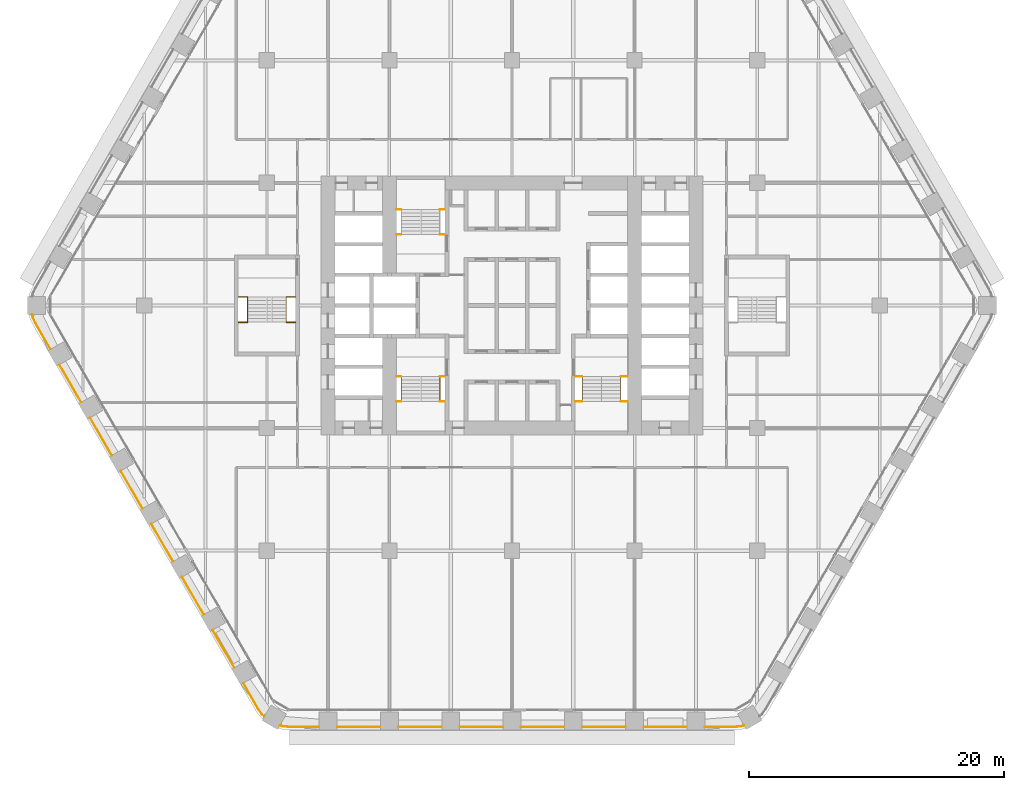
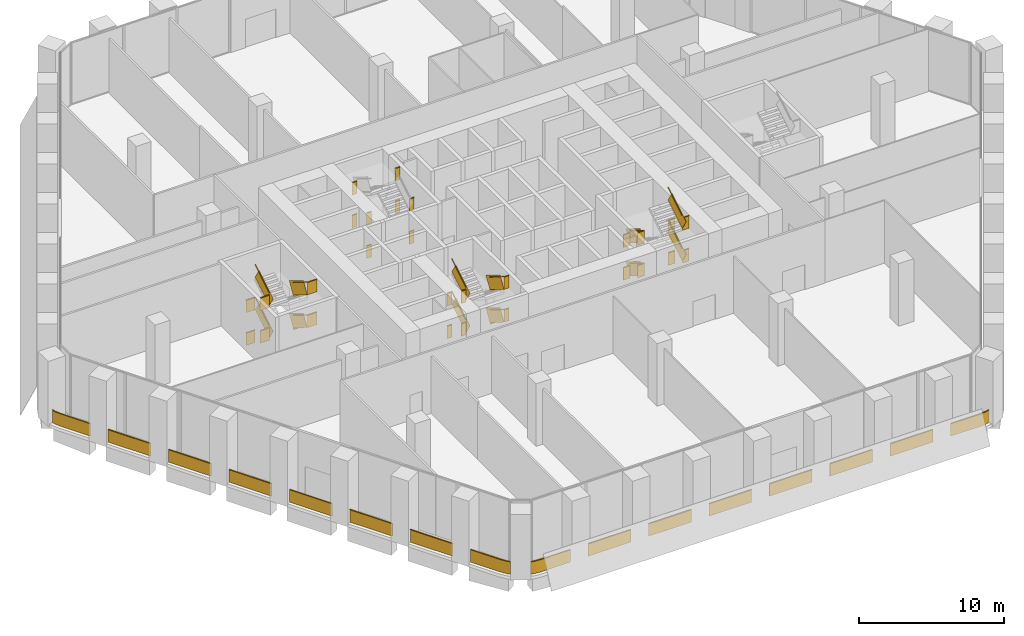
# One storey, part 26 of 27: 9 railings.
"""IFC4 building model written with IfcOpenShell, lengths in metres."""

from ifc_helpers import new_model, si_unit, direction, frame, frame_2d, origin, origin_2d, place, context, subcontext, project, spatial, rectangle, extrude, material, type_object, element, save


model = new_model("IFC4")

# Units and contexts
model_context = context("Model", 3, precision=1e-05, world=origin(), true_north=direction((0.0, 1.0)))
body_context = subcontext(model_context, "Body", "Model", "MODEL_VIEW")
ifc_project = project(units=[si_unit("LENGTHUNIT", "METRE"), si_unit("AREAUNIT", "SQUARE_METRE"), si_unit("VOLUMEUNIT", "CUBIC_METRE"), si_unit("PLANEANGLEUNIT", "RADIAN"), si_unit("MASSUNIT", "GRAM", prefix="KILO")], contexts=[model_context])

# Site, building, storey
site_placement = place(None, origin())
site = spatial("IfcSite", under=ifc_project, at=site_placement, CompositionType="ELEMENT")
building_placement = place(site_placement, origin())
building = spatial("IfcBuilding", under=site, at=building_placement, Name="Kolab Exchange Tower", CompositionType="ELEMENT")
storey_placement = place(building_placement, frame((0.0, 0.0, 22.39990234375)))
storey = spatial("IfcBuildingStorey", under=building, at=storey_placement, Name="L04", CompositionType="ELEMENT", Elevation=22.39990234375)

# Railings
ifc_material_1 = material(Name="Stainless steel 316", Category="steel")
railing_type_1 = type_object("IfcRailingType", Name="GUARD 1100", PredefinedType="GUARDRAIL", material=ifc_material_1)
railing_1_placement = place(storey_placement, frame((-9.050048828125, 5.550048828125, 0.0)))
element("IfcRailing", 1, at=railing_1_placement, inside=storey, type_object=railing_type_1, Name="Guard ST1", PredefinedType="GUARDRAIL", context=body_context, shape_type="SweptSolid", body=[
    extrude(rectangle(XDim=0.05, YDim=0.05, at=origin_2d()), frame((0.0, 0.0, 1.0751953125), z_axis=(1.0, 0.0, 0.0), x_axis=(0.0, 1.0, 0.0)), (0.0, 0.0, 1.0), 0.39013671875),
    extrude(rectangle(XDim=0.012, YDim=1.05009765625, at=frame_2d((0.0, 0.525146484375))), frame((0.0, 0.0, 0.0), z_axis=(1.0, 0.0, 0.0), x_axis=(0.0, 1.0, 0.0)), (0.0, 0.0, 1.0), 0.39013671875),
    extrude(rectangle(XDim=0.05, YDim=0.05, at=origin_2d()), frame((3.41015625, 0.0, 1.0751953125), z_axis=(1.0, 0.0, 0.0), x_axis=(0.0, 1.0, 0.0)), (0.0, 0.0, 1.0), 0.389892578125),
    extrude(rectangle(XDim=0.012, YDim=1.05009765625, at=frame_2d((0.0, 0.525146484375))), frame((3.41015625, 0.0, 0.0), z_axis=(1.0, 0.0, 0.0), x_axis=(0.0, 1.0, 0.0)), (0.0, 0.0, 1.0), 0.389892578125),
    extrude(rectangle(XDim=0.05, YDim=0.05, at=origin_2d()), frame((0.0, 1.9599609375, 2.4501953125), z_axis=(1.0, 0.0, 0.0), x_axis=(0.0, 1.0, 0.0)), (0.0, 0.0, 1.0), 0.39013671875),
    extrude(rectangle(XDim=0.012, YDim=1.05009765625, at=frame_2d((0.0, 0.525146484375))), frame((0.0, 1.9599609375, 1.375), z_axis=(1.0, 0.0, 0.0), x_axis=(0.0, 1.0, 0.0)), (0.0, 0.0, 1.0), 0.39013671875),
    extrude(rectangle(XDim=0.05, YDim=0.05, at=origin_2d()), frame((3.41015625, 1.9599609375, 2.4501953125), z_axis=(1.0, 0.0, 0.0), x_axis=(0.0, 1.0, 0.0)), (0.0, 0.0, 1.0), 0.389892578125),
    extrude(rectangle(XDim=0.012, YDim=1.05009765625, at=frame_2d((0.0, 0.525146484375))), frame((3.41015625, 1.9599609375, 1.375), z_axis=(1.0, 0.0, 0.0), x_axis=(0.0, 1.0, 0.0)), (0.0, 0.0, 1.0), 0.389892578125),
    extrude(rectangle(XDim=0.05, YDim=0.05, at=origin_2d()), frame((0.0, 0.0, 3.8251953125), z_axis=(1.0, 0.0, 0.0), x_axis=(0.0, 1.0, 0.0)), (0.0, 0.0, 1.0), 0.39013671875),
    extrude(rectangle(XDim=0.012, YDim=1.05009765625, at=frame_2d((0.0, 0.525146484375))), frame((0.0, 0.0, 2.75), z_axis=(1.0, 0.0, 0.0), x_axis=(0.0, 1.0, 0.0)), (0.0, 0.0, 1.0), 0.39013671875),
    extrude(rectangle(XDim=0.05, YDim=0.05, at=origin_2d()), frame((3.41015625, 0.0, 3.8251953125), z_axis=(1.0, 0.0, 0.0), x_axis=(0.0, 1.0, 0.0)), (0.0, 0.0, 1.0), 0.389892578125),
    extrude(rectangle(XDim=0.012, YDim=1.05009765625, at=frame_2d((0.0, 0.525146484375))), frame((3.41015625, 0.0, 2.75), z_axis=(1.0, 0.0, 0.0), x_axis=(0.0, 1.0, 0.0)), (0.0, 0.0, 1.0), 0.389892578125),
    extrude(rectangle(XDim=0.05, YDim=0.05, at=origin_2d()), frame((0.0, 1.9599609375, 5.2001953125), z_axis=(1.0, 0.0, 0.0), x_axis=(0.0, 1.0, 0.0)), (0.0, 0.0, 1.0), 0.39013671875),
    extrude(rectangle(XDim=0.012, YDim=1.05009765625, at=frame_2d((0.0, 0.525146484375))), frame((0.0, 1.9599609375, 4.125), z_axis=(1.0, 0.0, 0.0), x_axis=(0.0, 1.0, 0.0)), (0.0, 0.0, 1.0), 0.39013671875),
    extrude(rectangle(XDim=0.05, YDim=0.05, at=origin_2d()), frame((3.41015625, 1.9599609375, 5.2001953125), z_axis=(1.0, 0.0, 0.0), x_axis=(0.0, 1.0, 0.0)), (0.0, 0.0, 1.0), 0.389892578125),
    extrude(rectangle(XDim=0.012, YDim=1.05009765625, at=frame_2d((0.0, 0.525146484375))), frame((3.41015625, 1.9599609375, 4.125), z_axis=(1.0, 0.0, 0.0), x_axis=(0.0, 1.0, 0.0)), (0.0, 0.0, 1.0), 0.389892578125),
])
railing_2_placement = place(storey_placement, frame((-9.050048828125, -5.550048828125, 0.0)))
element("IfcRailing", 2, at=railing_2_placement, inside=storey, type_object=railing_type_1, Name="Guard ST3", PredefinedType="GUARDRAIL", context=body_context, shape_type="SweptSolid", body=[
    extrude(rectangle(XDim=0.05, YDim=0.05, at=origin_2d()), frame((0.0, 0.0, 1.0751953125), z_axis=(1.0, 0.0, 0.0), x_axis=(0.0, 1.0, 0.0)), (0.0, 0.0, 1.0), 0.39013671875),
    extrude(rectangle(XDim=0.012, YDim=1.05009765625, at=frame_2d((0.0, 0.525146484375))), frame((0.0, 0.0, 0.0), z_axis=(1.0, 0.0, 0.0), x_axis=(0.0, 1.0, 0.0)), (0.0, 0.0, 1.0), 0.39013671875),
    extrude(rectangle(XDim=0.05, YDim=0.05, at=origin_2d()), frame((3.41015625, 0.0, 1.0751953125), z_axis=(1.0, 0.0, 0.0), x_axis=(0.0, 1.0, 0.0)), (0.0, 0.0, 1.0), 0.389892578125),
    extrude(rectangle(XDim=0.012, YDim=1.05009765625, at=frame_2d((0.0, 0.525146484375))), frame((3.41015625, 0.0, 0.0), z_axis=(1.0, 0.0, 0.0), x_axis=(0.0, 1.0, 0.0)), (0.0, 0.0, 1.0), 0.389892578125),
    extrude(rectangle(XDim=0.05, YDim=0.05, at=origin_2d()), frame((0.0, -1.9599609375, 2.4501953125), z_axis=(1.0, 0.0, 0.0), x_axis=(0.0, 1.0, 0.0)), (0.0, 0.0, 1.0), 0.39013671875),
    extrude(rectangle(XDim=0.012, YDim=1.05009765625, at=frame_2d((0.0, 0.525146484375))), frame((0.0, -1.9599609375, 1.375), z_axis=(1.0, 0.0, 0.0), x_axis=(0.0, 1.0, 0.0)), (0.0, 0.0, 1.0), 0.39013671875),
    extrude(rectangle(XDim=0.05, YDim=0.05, at=origin_2d()), frame((3.41015625, -1.9599609375, 2.4501953125), z_axis=(1.0, 0.0, 0.0), x_axis=(0.0, 1.0, 0.0)), (0.0, 0.0, 1.0), 0.389892578125),
    extrude(rectangle(XDim=0.012, YDim=1.05009765625, at=frame_2d((0.0, 0.525146484375))), frame((3.41015625, -1.9599609375, 1.375), z_axis=(1.0, 0.0, 0.0), x_axis=(0.0, 1.0, 0.0)), (0.0, 0.0, 1.0), 0.389892578125),
    extrude(rectangle(XDim=0.05, YDim=0.05, at=origin_2d()), frame((0.0, 0.0, 3.8251953125), z_axis=(1.0, 0.0, 0.0), x_axis=(0.0, 1.0, 0.0)), (0.0, 0.0, 1.0), 0.39013671875),
    extrude(rectangle(XDim=0.012, YDim=1.05009765625, at=frame_2d((0.0, 0.525146484375))), frame((0.0, 0.0, 2.75), z_axis=(1.0, 0.0, 0.0), x_axis=(0.0, 1.0, 0.0)), (0.0, 0.0, 1.0), 0.39013671875),
    extrude(rectangle(XDim=0.05, YDim=0.05, at=origin_2d()), frame((3.41015625, 0.0, 3.8251953125), z_axis=(1.0, 0.0, 0.0), x_axis=(0.0, 1.0, 0.0)), (0.0, 0.0, 1.0), 0.389892578125),
    extrude(rectangle(XDim=0.012, YDim=1.05009765625, at=frame_2d((0.0, 0.525146484375))), frame((3.41015625, 0.0, 2.75), z_axis=(1.0, 0.0, 0.0), x_axis=(0.0, 1.0, 0.0)), (0.0, 0.0, 1.0), 0.389892578125),
    extrude(rectangle(XDim=0.05, YDim=0.05, at=origin_2d()), frame((0.0, -1.9599609375, 5.2001953125), z_axis=(1.0, 0.0, 0.0), x_axis=(0.0, 1.0, 0.0)), (0.0, 0.0, 1.0), 0.39013671875),
    extrude(rectangle(XDim=0.012, YDim=1.05009765625, at=frame_2d((0.0, 0.525146484375))), frame((0.0, -1.9599609375, 4.125), z_axis=(1.0, 0.0, 0.0), x_axis=(0.0, 1.0, 0.0)), (0.0, 0.0, 1.0), 0.39013671875),
    extrude(rectangle(XDim=0.05, YDim=0.05, at=origin_2d()), frame((3.41015625, -1.9599609375, 5.2001953125), z_axis=(1.0, 0.0, 0.0), x_axis=(0.0, 1.0, 0.0)), (0.0, 0.0, 1.0), 0.389892578125),
    extrude(rectangle(XDim=0.012, YDim=1.05009765625, at=frame_2d((0.0, 0.525146484375))), frame((3.41015625, -1.9599609375, 4.125), z_axis=(1.0, 0.0, 0.0), x_axis=(0.0, 1.0, 0.0)), (0.0, 0.0, 1.0), 0.389892578125),
])
railing_3_placement = place(storey_placement, frame((-5.639892578125, -5.550048828125, 0.172119140625)))
element("IfcRailing", 3, at=railing_3_placement, inside=storey, type_object=railing_type_1, Name="Handrail guard ST3", PredefinedType="GUARDRAIL", context=body_context, shape_type="SweptSolid", body=[
    extrude(rectangle(XDim=0.05, YDim=0.05, at=origin_2d()), frame((0.0, 0.0, 1.0751953125), z_axis=(0.0, -0.852288308005, 0.523072308613), x_axis=(1.0, 0.0, 0.0)), (0.0, 0.0, 1.0), 2.299560546875),
    extrude(rectangle(XDim=0.012, YDim=1.05009765625, at=frame_2d((0.0, 0.525146484375))), frame((0.0, 0.0, 0.0), z_axis=(0.0, -0.852288308005, 0.523072308613), x_axis=(1.0, 0.0, 0.0)), (0.0, 0.0, 1.0), 2.299560546875),
    extrude(rectangle(XDim=0.05, YDim=0.05, at=origin_2d()), frame((-3.02001953125, -1.9599609375, 2.4501953125), z_axis=(0.0, 0.852288308005, 0.523072308613), x_axis=(-1.0, 0.0, 0.0)), (0.0, 0.0, 1.0), 2.299560546875),
    extrude(rectangle(XDim=0.012, YDim=1.05009765625, at=frame_2d((0.0, 0.525146484375))), frame((-3.02001953125, -1.9599609375, 1.375), z_axis=(0.0, 0.852288308005, 0.523072308613), x_axis=(-1.0, 0.0, 0.0)), (0.0, 0.0, 1.0), 2.299560546875),
    extrude(rectangle(XDim=0.05, YDim=0.05, at=origin_2d()), frame((0.0, 0.0, 3.8251953125), z_axis=(0.0, -0.852288308005, 0.523072308613), x_axis=(1.0, 0.0, 0.0)), (0.0, 0.0, 1.0), 2.299560546875),
    extrude(rectangle(XDim=0.012, YDim=1.05009765625, at=frame_2d((0.0, 0.525146484375))), frame((0.0, 0.0, 2.75), z_axis=(0.0, -0.852288308005, 0.523072308613), x_axis=(1.0, 0.0, 0.0)), (0.0, 0.0, 1.0), 2.299560546875),
    extrude(rectangle(XDim=0.05, YDim=0.05, at=origin_2d()), frame((-3.02001953125, -1.9599609375, 5.2001953125), z_axis=(0.0, 0.852288308005, 0.523072308613), x_axis=(-1.0, 0.0, 0.0)), (0.0, 0.0, 1.0), 2.299560546875),
    extrude(rectangle(XDim=0.012, YDim=1.05009765625, at=frame_2d((0.0, 0.525146484375))), frame((-3.02001953125, -1.9599609375, 4.125), z_axis=(0.0, 0.852288308005, 0.523072308613), x_axis=(-1.0, 0.0, 0.0)), (0.0, 0.0, 1.0), 2.299560546875),
])
railing_4_placement = place(storey_placement, frame((4.949951171875, -5.550048828125, 0.0)))
element("IfcRailing", 4, at=railing_4_placement, inside=storey, type_object=railing_type_1, Name="Guard ST2", PredefinedType="GUARDRAIL", context=body_context, shape_type="SweptSolid", body=[
    extrude(rectangle(XDim=0.05, YDim=0.05, at=origin_2d()), frame((0.0, 0.0, 1.0751953125), z_axis=(1.0, 0.0, 0.0), x_axis=(0.0, 1.0, 0.0)), (0.0, 0.0, 1.0), 0.5400390625),
    extrude(rectangle(XDim=0.012, YDim=1.05009765625, at=frame_2d((0.0, 0.525146484375))), frame((0.0, 0.0, 0.0), z_axis=(1.0, 0.0, 0.0), x_axis=(0.0, 1.0, 0.0)), (0.0, 0.0, 1.0), 0.5400390625),
    extrude(rectangle(XDim=0.05, YDim=0.05, at=origin_2d()), frame((3.56005859375, 0.0, 1.0751953125), z_axis=(1.0, 0.0, 0.0), x_axis=(0.0, 1.0, 0.0)), (0.0, 0.0, 1.0), 0.5400390625),
    extrude(rectangle(XDim=0.012, YDim=1.05009765625, at=frame_2d((0.0, 0.525146484375))), frame((3.56005859375, 0.0, 0.0), z_axis=(1.0, 0.0, 0.0), x_axis=(0.0, 1.0, 0.0)), (0.0, 0.0, 1.0), 0.5400390625),
    extrude(rectangle(XDim=0.05, YDim=0.05, at=origin_2d()), frame((0.0, -1.9599609375, 2.4501953125), z_axis=(1.0, 0.0, 0.0), x_axis=(0.0, 1.0, 0.0)), (0.0, 0.0, 1.0), 0.5400390625),
    extrude(rectangle(XDim=0.012, YDim=1.05009765625, at=frame_2d((0.0, 0.525146484375))), frame((0.0, -1.9599609375, 1.375), z_axis=(1.0, 0.0, 0.0), x_axis=(0.0, 1.0, 0.0)), (0.0, 0.0, 1.0), 0.5400390625),
    extrude(rectangle(XDim=0.05, YDim=0.05, at=origin_2d()), frame((3.56005859375, -1.9599609375, 2.4501953125), z_axis=(1.0, 0.0, 0.0), x_axis=(0.0, 1.0, 0.0)), (0.0, 0.0, 1.0), 0.5400390625),
    extrude(rectangle(XDim=0.012, YDim=1.05009765625, at=frame_2d((0.0, 0.525146484375))), frame((3.56005859375, -1.9599609375, 1.375), z_axis=(1.0, 0.0, 0.0), x_axis=(0.0, 1.0, 0.0)), (0.0, 0.0, 1.0), 0.5400390625),
    extrude(rectangle(XDim=0.05, YDim=0.05, at=origin_2d()), frame((0.0, 0.0, 3.8251953125), z_axis=(1.0, 0.0, 0.0), x_axis=(0.0, 1.0, 0.0)), (0.0, 0.0, 1.0), 0.5400390625),
    extrude(rectangle(XDim=0.012, YDim=1.05009765625, at=frame_2d((0.0, 0.525146484375))), frame((0.0, 0.0, 2.75), z_axis=(1.0, 0.0, 0.0), x_axis=(0.0, 1.0, 0.0)), (0.0, 0.0, 1.0), 0.5400390625),
    extrude(rectangle(XDim=0.05, YDim=0.05, at=origin_2d()), frame((3.56005859375, 0.0, 3.8251953125), z_axis=(1.0, 0.0, 0.0), x_axis=(0.0, 1.0, 0.0)), (0.0, 0.0, 1.0), 0.5400390625),
    extrude(rectangle(XDim=0.012, YDim=1.05009765625, at=frame_2d((0.0, 0.525146484375))), frame((3.56005859375, 0.0, 2.75), z_axis=(1.0, 0.0, 0.0), x_axis=(0.0, 1.0, 0.0)), (0.0, 0.0, 1.0), 0.5400390625),
    extrude(rectangle(XDim=0.05, YDim=0.05, at=origin_2d()), frame((0.0, -1.9599609375, 5.2001953125), z_axis=(1.0, 0.0, 0.0), x_axis=(0.0, 1.0, 0.0)), (0.0, 0.0, 1.0), 0.5400390625),
    extrude(rectangle(XDim=0.012, YDim=1.05009765625, at=frame_2d((0.0, 0.525146484375))), frame((0.0, -1.9599609375, 4.125), z_axis=(1.0, 0.0, 0.0), x_axis=(0.0, 1.0, 0.0)), (0.0, 0.0, 1.0), 0.5400390625),
    extrude(rectangle(XDim=0.05, YDim=0.05, at=origin_2d()), frame((3.56005859375, -1.9599609375, 5.2001953125), z_axis=(1.0, 0.0, 0.0), x_axis=(0.0, 1.0, 0.0)), (0.0, 0.0, 1.0), 0.5400390625),
    extrude(rectangle(XDim=0.012, YDim=1.05009765625, at=frame_2d((0.0, 0.525146484375))), frame((3.56005859375, -1.9599609375, 4.125), z_axis=(1.0, 0.0, 0.0), x_axis=(0.0, 1.0, 0.0)), (0.0, 0.0, 1.0), 0.5400390625),
])
railing_5_placement = place(storey_placement, frame((5.489990234375, -5.550048828125, 0.172119140625)))
element("IfcRailing", 5, at=railing_5_placement, inside=storey, type_object=railing_type_1, Name="Handrail guard ST2", PredefinedType="GUARDRAIL", context=body_context, shape_type="SweptSolid", body=[
    extrude(rectangle(XDim=0.05, YDim=0.05, at=origin_2d()), frame((0.0, 0.0, 1.0751953125), z_axis=(0.0, -0.852288308005, 0.523072308613), x_axis=(1.0, 0.0, 0.0)), (0.0, 0.0, 1.0), 2.299560546875),
    extrude(rectangle(XDim=0.012, YDim=1.05009765625, at=frame_2d((0.0, 0.525146484375))), frame((0.0, 0.0, 0.0), z_axis=(0.0, -0.852288308005, 0.523072308613), x_axis=(1.0, 0.0, 0.0)), (0.0, 0.0, 1.0), 2.299560546875),
    extrude(rectangle(XDim=0.05, YDim=0.05, at=origin_2d()), frame((3.02001953125, -1.9599609375, 2.4501953125), z_axis=(0.0, 0.852288308005, 0.523072308613), x_axis=(-1.0, 0.0, 0.0)), (0.0, 0.0, 1.0), 2.299560546875),
    extrude(rectangle(XDim=0.012, YDim=1.05009765625, at=frame_2d((0.0, 0.525146484375))), frame((3.02001953125, -1.9599609375, 1.375), z_axis=(0.0, 0.852288308005, 0.523072308613), x_axis=(-1.0, 0.0, 0.0)), (0.0, 0.0, 1.0), 2.299560546875),
    extrude(rectangle(XDim=0.05, YDim=0.05, at=origin_2d()), frame((0.0, 0.0, 3.8251953125), z_axis=(0.0, -0.852288308005, 0.523072308613), x_axis=(1.0, 0.0, 0.0)), (0.0, 0.0, 1.0), 2.299560546875),
    extrude(rectangle(XDim=0.012, YDim=1.05009765625, at=frame_2d((0.0, 0.525146484375))), frame((0.0, 0.0, 2.75), z_axis=(0.0, -0.852288308005, 0.523072308613), x_axis=(1.0, 0.0, 0.0)), (0.0, 0.0, 1.0), 2.299560546875),
    extrude(rectangle(XDim=0.05, YDim=0.05, at=origin_2d()), frame((3.02001953125, -1.9599609375, 5.2001953125), z_axis=(0.0, 0.852288308005, 0.523072308613), x_axis=(-1.0, 0.0, 0.0)), (0.0, 0.0, 1.0), 2.299560546875),
    extrude(rectangle(XDim=0.012, YDim=1.05009765625, at=frame_2d((0.0, 0.525146484375))), frame((3.02001953125, -1.9599609375, 4.125), z_axis=(0.0, 0.852288308005, 0.523072308613), x_axis=(-1.0, 0.0, 0.0)), (0.0, 0.0, 1.0), 2.299560546875),
])
railing_6_placement = place(storey_placement, frame((-21.449951171875, 0.64990234375, 0.0)))
element("IfcRailing", 6, at=railing_6_placement, inside=storey, type_object=railing_type_1, Name="Guard ST5", PredefinedType="GUARDRAIL", context=body_context, shape_type="SweptSolid", body=[
    extrude(rectangle(XDim=0.05, YDim=0.05, at=origin_2d()), frame((0.0, 0.0, 1.0751953125), z_axis=(1.0, 0.0, 0.0), x_axis=(0.0, 1.0, 0.0)), (0.0, 0.0, 1.0), 0.739990234375),
    extrude(rectangle(XDim=0.012, YDim=1.05009765625, at=frame_2d((0.0, 0.525146484375))), frame((0.0, 0.0, 0.0), z_axis=(1.0, 0.0, 0.0), x_axis=(0.0, 1.0, 0.0)), (0.0, 0.0, 1.0), 0.739990234375),
    extrude(rectangle(XDim=0.05, YDim=0.05, at=origin_2d()), frame((3.760009765625, 0.0, 1.0751953125), z_axis=(1.0, 0.0, 0.0), x_axis=(0.0, 1.0, 0.0)), (0.0, 0.0, 1.0), 0.739990234375),
    extrude(rectangle(XDim=0.012, YDim=1.05009765625, at=frame_2d((0.0, 0.525146484375))), frame((3.760009765625, 0.0, 0.0), z_axis=(1.0, 0.0, 0.0), x_axis=(0.0, 1.0, 0.0)), (0.0, 0.0, 1.0), 0.739990234375),
    extrude(rectangle(XDim=0.05, YDim=0.05, at=origin_2d()), frame((0.0, -1.9599609375, 2.4501953125), z_axis=(1.0, 0.0, 0.0), x_axis=(0.0, 1.0, 0.0)), (0.0, 0.0, 1.0), 0.739990234375),
    extrude(rectangle(XDim=0.012, YDim=1.05009765625, at=frame_2d((0.0, 0.525146484375))), frame((0.0, -1.9599609375, 1.375), z_axis=(1.0, 0.0, 0.0), x_axis=(0.0, 1.0, 0.0)), (0.0, 0.0, 1.0), 0.739990234375),
    extrude(rectangle(XDim=0.05, YDim=0.05, at=origin_2d()), frame((3.760009765625, -1.9599609375, 2.4501953125), z_axis=(1.0, 0.0, 0.0), x_axis=(0.0, 1.0, 0.0)), (0.0, 0.0, 1.0), 0.739990234375),
    extrude(rectangle(XDim=0.012, YDim=1.05009765625, at=frame_2d((0.0, 0.525146484375))), frame((3.760009765625, -1.9599609375, 1.375), z_axis=(1.0, 0.0, 0.0), x_axis=(0.0, 1.0, 0.0)), (0.0, 0.0, 1.0), 0.739990234375),
    extrude(rectangle(XDim=0.05, YDim=0.05, at=origin_2d()), frame((0.0, 0.0, 3.8251953125), z_axis=(1.0, 0.0, 0.0), x_axis=(0.0, 1.0, 0.0)), (0.0, 0.0, 1.0), 0.739990234375),
    extrude(rectangle(XDim=0.012, YDim=1.05009765625, at=frame_2d((0.0, 0.525146484375))), frame((0.0, 0.0, 2.75), z_axis=(1.0, 0.0, 0.0), x_axis=(0.0, 1.0, 0.0)), (0.0, 0.0, 1.0), 0.739990234375),
    extrude(rectangle(XDim=0.05, YDim=0.05, at=origin_2d()), frame((3.760009765625, 0.0, 3.8251953125), z_axis=(1.0, 0.0, 0.0), x_axis=(0.0, 1.0, 0.0)), (0.0, 0.0, 1.0), 0.739990234375),
    extrude(rectangle(XDim=0.012, YDim=1.05009765625, at=frame_2d((0.0, 0.525146484375))), frame((3.760009765625, 0.0, 2.75), z_axis=(1.0, 0.0, 0.0), x_axis=(0.0, 1.0, 0.0)), (0.0, 0.0, 1.0), 0.739990234375),
    extrude(rectangle(XDim=0.05, YDim=0.05, at=origin_2d()), frame((0.0, -1.9599609375, 5.2001953125), z_axis=(1.0, 0.0, 0.0), x_axis=(0.0, 1.0, 0.0)), (0.0, 0.0, 1.0), 0.739990234375),
    extrude(rectangle(XDim=0.012, YDim=1.05009765625, at=frame_2d((0.0, 0.525146484375))), frame((0.0, -1.9599609375, 4.125), z_axis=(1.0, 0.0, 0.0), x_axis=(0.0, 1.0, 0.0)), (0.0, 0.0, 1.0), 0.739990234375),
    extrude(rectangle(XDim=0.05, YDim=0.05, at=origin_2d()), frame((3.760009765625, -1.9599609375, 5.2001953125), z_axis=(1.0, 0.0, 0.0), x_axis=(0.0, 1.0, 0.0)), (0.0, 0.0, 1.0), 0.739990234375),
    extrude(rectangle(XDim=0.012, YDim=1.05009765625, at=frame_2d((0.0, 0.525146484375))), frame((3.760009765625, -1.9599609375, 4.125), z_axis=(1.0, 0.0, 0.0), x_axis=(0.0, 1.0, 0.0)), (0.0, 0.0, 1.0), 0.739990234375),
])
railing_7_placement = place(storey_placement, frame((-17.68994140625, 0.64990234375, 0.172119140625)))
element("IfcRailing", 7, at=railing_7_placement, inside=storey, type_object=railing_type_1, Name="Handrail guard ST5", PredefinedType="GUARDRAIL", context=body_context, shape_type="SweptSolid", body=[
    extrude(rectangle(XDim=0.05, YDim=0.05, at=origin_2d()), frame((0.0, 0.0, 1.0751953125), z_axis=(0.0, -0.852288308005, 0.523072308613), x_axis=(1.0, 0.0, 0.0)), (0.0, 0.0, 1.0), 2.299560546875),
    extrude(rectangle(XDim=0.012, YDim=1.05009765625, at=frame_2d((0.0, 0.525146484375))), frame((0.0, 0.0, 0.0), z_axis=(0.0, -0.852288308005, 0.523072308613), x_axis=(1.0, 0.0, 0.0)), (0.0, 0.0, 1.0), 2.299560546875),
    extrude(rectangle(XDim=0.05, YDim=0.05, at=origin_2d()), frame((-3.02001953125, -1.9599609375, 2.4501953125), z_axis=(0.0, 0.852288308005, 0.523072308613), x_axis=(-1.0, 0.0, 0.0)), (0.0, 0.0, 1.0), 2.299560546875),
    extrude(rectangle(XDim=0.012, YDim=1.05009765625, at=frame_2d((0.0, 0.525146484375))), frame((-3.02001953125, -1.9599609375, 1.375), z_axis=(0.0, 0.852288308005, 0.523072308613), x_axis=(-1.0, 0.0, 0.0)), (0.0, 0.0, 1.0), 2.299560546875),
    extrude(rectangle(XDim=0.05, YDim=0.05, at=origin_2d()), frame((0.0, 0.0, 3.8251953125), z_axis=(0.0, -0.852288308005, 0.523072308613), x_axis=(1.0, 0.0, 0.0)), (0.0, 0.0, 1.0), 2.299560546875),
    extrude(rectangle(XDim=0.012, YDim=1.05009765625, at=frame_2d((0.0, 0.525146484375))), frame((0.0, 0.0, 2.75), z_axis=(0.0, -0.852288308005, 0.523072308613), x_axis=(1.0, 0.0, 0.0)), (0.0, 0.0, 1.0), 2.299560546875),
    extrude(rectangle(XDim=0.05, YDim=0.05, at=origin_2d()), frame((-3.02001953125, -1.9599609375, 5.2001953125), z_axis=(0.0, 0.852288308005, 0.523072308613), x_axis=(-1.0, 0.0, 0.0)), (0.0, 0.0, 1.0), 2.299560546875),
    extrude(rectangle(XDim=0.012, YDim=1.05009765625, at=frame_2d((0.0, 0.525146484375))), frame((-3.02001953125, -1.9599609375, 4.125), z_axis=(0.0, 0.852288308005, 0.523072308613), x_axis=(-1.0, 0.0, 0.0)), (0.0, 0.0, 1.0), 2.299560546875),
])
ifc_material_2 = material(Name="Steel S235", Category="steel")
railing_type_2 = type_object("IfcRailingType", Name="GUARD 1100 GLASS BALUSTRADE AND STEEL TOP RAIL", PredefinedType="GUARDRAIL", material=ifc_material_2)
railing_8_placement = place(storey_placement, frame((-18.1953125, -32.896728515625, 0.0)))
element("IfcRailing", 8, at=railing_8_placement, inside=storey, type_object=railing_type_2, Name="Guard", PredefinedType="GUARDRAIL", context=body_context, shape_type="SweptSolid", body=[
    extrude(rectangle(XDim=0.05, YDim=0.05, at=origin_2d()), frame((0.0, 0.0, 1.0751953125), z_axis=(0.965952265455, -0.258720352624, 0.0), x_axis=(0.258720352624, 0.965952265455, 0.0)), (0.0, 0.0, 1.0), 0.258544921875),
    extrude(rectangle(XDim=0.012, YDim=1.05009765625, at=frame_2d((0.0, 0.525146484375))), frame((0.0, 0.0, 0.0), z_axis=(0.965952265455, -0.258720352624, 0.0), x_axis=(0.258720352624, 0.965952265455, 0.0)), (0.0, 0.0, 1.0), 0.258544921875),
    extrude(rectangle(XDim=0.05, YDim=0.05, at=origin_2d()), frame((0.249755859375, -0.06689453125, 1.0751953125), z_axis=(0.996200348447, -0.087091134757, 0.0), x_axis=(0.087091134757, 0.996200348447, 0.0)), (0.0, 0.0, 1.0), 0.479248046875),
    extrude(rectangle(XDim=0.012, YDim=1.05009765625, at=frame_2d((0.0, 0.525146484375))), frame((0.249755859375, -0.06689453125, 0.0), z_axis=(0.996200348447, -0.087091134757, 0.0), x_axis=(0.087091134757, 0.996200348447, 0.0)), (0.0, 0.0, 1.0), 0.479248046875),
    extrude(rectangle(XDim=0.05, YDim=0.05, at=origin_2d()), frame((0.727294921875, -0.108642578125, 1.0751953125), z_axis=(1.0, 0.0, 0.0), x_axis=(0.0, 1.0, 0.0)), (0.0, 0.0, 1.0), 2.367919921875),
    extrude(rectangle(XDim=0.012, YDim=1.05009765625, at=frame_2d((0.0, 0.525146484375))), frame((0.727294921875, -0.108642578125, 0.0), z_axis=(1.0, 0.0, 0.0), x_axis=(0.0, 1.0, 0.0)), (0.0, 0.0, 1.0), 2.367919921875),
    extrude(rectangle(XDim=0.05, YDim=0.05, at=origin_2d()), frame((4.495361328125, -0.108642578125, 1.0751953125), z_axis=(1.0, 0.0, 0.0), x_axis=(0.0, 1.0, 0.0)), (0.0, 0.0, 1.0), 3.39990234375),
    extrude(rectangle(XDim=0.012, YDim=1.05009765625, at=frame_2d((0.0, 0.525146484375))), frame((4.495361328125, -0.108642578125, 0.0), z_axis=(1.0, 0.0, 0.0), x_axis=(0.0, 1.0, 0.0)), (0.0, 0.0, 1.0), 3.39990234375),
    extrude(rectangle(XDim=0.05, YDim=0.05, at=origin_2d()), frame((9.29541015625, -0.108642578125, 1.0751953125), z_axis=(1.0, 0.0, 0.0), x_axis=(0.0, 1.0, 0.0)), (0.0, 0.0, 1.0), 3.39990234375),
    extrude(rectangle(XDim=0.012, YDim=1.05009765625, at=frame_2d((0.0, 0.525146484375))), frame((9.29541015625, -0.108642578125, 0.0), z_axis=(1.0, 0.0, 0.0), x_axis=(0.0, 1.0, 0.0)), (0.0, 0.0, 1.0), 3.39990234375),
    extrude(rectangle(XDim=0.05, YDim=0.05, at=origin_2d()), frame((14.09521484375, -0.108642578125, 1.0751953125), z_axis=(1.0, 0.0, 0.0), x_axis=(0.0, 1.0, 0.0)), (0.0, 0.0, 1.0), 3.400146484375),
    extrude(rectangle(XDim=0.012, YDim=1.05009765625, at=frame_2d((0.0, 0.525146484375))), frame((14.09521484375, -0.108642578125, 0.0), z_axis=(1.0, 0.0, 0.0), x_axis=(0.0, 1.0, 0.0)), (0.0, 0.0, 1.0), 3.400146484375),
    extrude(rectangle(XDim=0.05, YDim=0.05, at=origin_2d()), frame((18.895263671875, -0.108642578125, 1.0751953125), z_axis=(1.0, 0.0, 0.0), x_axis=(0.0, 1.0, 0.0)), (0.0, 0.0, 1.0), 3.400146484375),
    extrude(rectangle(XDim=0.012, YDim=1.05009765625, at=frame_2d((0.0, 0.525146484375))), frame((18.895263671875, -0.108642578125, 0.0), z_axis=(1.0, 0.0, 0.0), x_axis=(0.0, 1.0, 0.0)), (0.0, 0.0, 1.0), 3.400146484375),
    extrude(rectangle(XDim=0.05, YDim=0.05, at=origin_2d()), frame((23.6953125, -0.108642578125, 1.0751953125), z_axis=(1.0, 0.0, 0.0), x_axis=(0.0, 1.0, 0.0)), (0.0, 0.0, 1.0), 3.39990234375),
    extrude(rectangle(XDim=0.012, YDim=1.05009765625, at=frame_2d((0.0, 0.525146484375))), frame((23.6953125, -0.108642578125, 0.0), z_axis=(1.0, 0.0, 0.0), x_axis=(0.0, 1.0, 0.0)), (0.0, 0.0, 1.0), 3.39990234375),
    extrude(rectangle(XDim=0.05, YDim=0.05, at=origin_2d()), frame((28.495361328125, -0.108642578125, 1.0751953125), z_axis=(1.0, 0.0, 0.0), x_axis=(0.0, 1.0, 0.0)), (0.0, 0.0, 1.0), 3.39990234375),
    extrude(rectangle(XDim=0.012, YDim=1.05009765625, at=frame_2d((0.0, 0.525146484375))), frame((28.495361328125, -0.108642578125, 0.0), z_axis=(1.0, 0.0, 0.0), x_axis=(0.0, 1.0, 0.0)), (0.0, 0.0, 1.0), 3.39990234375),
    extrude(rectangle(XDim=0.05, YDim=0.05, at=origin_2d()), frame((33.29541015625, -0.108642578125, 1.0751953125), z_axis=(1.0, 0.0, 0.0), x_axis=(0.0, 1.0, 0.0)), (0.0, 0.0, 1.0), 2.367919921875),
    extrude(rectangle(XDim=0.012, YDim=1.05009765625, at=frame_2d((0.0, 0.525146484375))), frame((33.29541015625, -0.108642578125, 0.0), z_axis=(1.0, 0.0, 0.0), x_axis=(0.0, 1.0, 0.0)), (0.0, 0.0, 1.0), 2.367919921875),
    extrude(rectangle(XDim=0.05, YDim=0.05, at=origin_2d()), frame((35.663330078125, -0.108642578125, 1.0751953125), z_axis=(0.996200348447, 0.087091134757, 0.0), x_axis=(-0.087091134757, 0.996200348447, 0.0)), (0.0, 0.0, 1.0), 0.479248046875),
    extrude(rectangle(XDim=0.012, YDim=1.05009765625, at=frame_2d((0.0, 0.525146484375))), frame((35.663330078125, -0.108642578125, 0.0), z_axis=(0.996200348447, 0.087091134757, 0.0), x_axis=(-0.087091134757, 0.996200348447, 0.0)), (0.0, 0.0, 1.0), 0.479248046875),
    extrude(rectangle(XDim=0.05, YDim=0.05, at=origin_2d()), frame((36.140869140625, -0.06689453125, 1.0751953125), z_axis=(0.965952265455, 0.258720352624, 0.0), x_axis=(-0.258720352624, 0.965952265455, 0.0)), (0.0, 0.0, 1.0), 0.258544921875),
    extrude(rectangle(XDim=0.012, YDim=1.05009765625, at=frame_2d((0.0, 0.525146484375))), frame((36.140869140625, -0.06689453125, 0.0), z_axis=(0.965952265455, 0.258720352624, 0.0), x_axis=(-0.258720352624, 0.965952265455, 0.0)), (0.0, 0.0, 1.0), 0.258544921875),
])
railing_9_placement = place(storey_placement, frame((-37.5869140625, -0.690673828125, 0.0)))
element("IfcRailing", 9, at=railing_9_placement, inside=storey, type_object=railing_type_2, Name="Guard", PredefinedType="GUARDRAIL", context=body_context, shape_type="SweptSolid", body=[
    extrude(rectangle(XDim=0.05, YDim=0.05, at=origin_2d()), frame((0.0, 0.0, 1.0751953125), z_axis=(0.258484584798, -0.966015382601, 0.0), x_axis=(0.966015382601, 0.258484584798, 0.0)), (0.0, 0.0, 1.0), 0.2587890625),
    extrude(rectangle(XDim=0.012, YDim=1.05009765625, at=frame_2d((0.0, 0.525146484375))), frame((0.0, 0.0, 0.0), z_axis=(0.258484584798, -0.966015382601, 0.0), x_axis=(0.966015382601, 0.258484584798, 0.0)), (0.0, 0.0, 1.0), 0.2587890625),
    extrude(rectangle(XDim=0.05, YDim=0.05, at=origin_2d()), frame((0.06689453125, -0.25, 1.0751953125), z_axis=(0.422801802984, -0.906222177721, 0.0), x_axis=(0.906222177721, 0.422801802984, 0.0)), (0.0, 0.0, 1.0), 0.479248046875),
    extrude(rectangle(XDim=0.012, YDim=1.05009765625, at=frame_2d((0.0, 0.525146484375))), frame((0.06689453125, -0.25, 0.0), z_axis=(0.422801802984, -0.906222177721, 0.0), x_axis=(0.906222177721, 0.422801802984, 0.0)), (0.0, 0.0, 1.0), 0.479248046875),
    extrude(rectangle(XDim=0.05, YDim=0.05, at=origin_2d()), frame((0.26953125, -0.684326171875, 1.0751953125), z_axis=(0.499942602326, -0.866058539811, 0.0), x_axis=(0.866058539811, 0.499942602326, 0.0)), (0.0, 0.0, 1.0), 2.367919921875),
    extrude(rectangle(XDim=0.012, YDim=1.05009765625, at=frame_2d((0.0, 0.525146484375))), frame((0.26953125, -0.684326171875, 0.0), z_axis=(0.499942602326, -0.866058539811, 0.0), x_axis=(0.866058539811, 0.499942602326, 0.0)), (0.0, 0.0, 1.0), 2.367919921875),
    extrude(rectangle(XDim=0.05, YDim=0.05, at=origin_2d()), frame((2.1533203125, -3.947509765625, 1.0751953125), z_axis=(0.500062241894, -0.865989465428, 0.0), x_axis=(0.865989465428, 0.500062241894, 0.0)), (0.0, 0.0, 1.0), 3.39990234375),
    extrude(rectangle(XDim=0.012, YDim=1.05009765625, at=frame_2d((0.0, 0.525146484375))), frame((2.1533203125, -3.947509765625, 0.0), z_axis=(0.500062241894, -0.865989465428, 0.0), x_axis=(0.865989465428, 0.500062241894, 0.0)), (0.0, 0.0, 1.0), 3.39990234375),
    extrude(rectangle(XDim=0.05, YDim=0.05, at=origin_2d()), frame((4.553466796875, -8.1044921875, 1.0751953125), z_axis=(0.500008388397, -0.866020560687, 0.0), x_axis=(0.866020560687, 0.500008388397, 0.0)), (0.0, 0.0, 1.0), 3.39990234375),
    extrude(rectangle(XDim=0.012, YDim=1.05009765625, at=frame_2d((0.0, 0.525146484375))), frame((4.553466796875, -8.1044921875, 0.0), z_axis=(0.500008388397, -0.866020560687, 0.0), x_axis=(0.866020560687, 0.500008388397, 0.0)), (0.0, 0.0, 1.0), 3.39990234375),
    extrude(rectangle(XDim=0.05, YDim=0.05, at=origin_2d()), frame((6.953369140625, -12.26123046875, 1.0751953125), z_axis=(0.499977295307, -0.866038511948, 0.0), x_axis=(0.866038511948, 0.499977295307, 0.0)), (0.0, 0.0, 1.0), 3.400146484375),
    extrude(rectangle(XDim=0.012, YDim=1.05009765625, at=frame_2d((0.0, 0.525146484375))), frame((6.953369140625, -12.26123046875, 0.0), z_axis=(0.499977295307, -0.866038511948, 0.0), x_axis=(0.866038511948, 0.499977295307, 0.0)), (0.0, 0.0, 1.0), 3.400146484375),
    extrude(rectangle(XDim=0.05, YDim=0.05, at=origin_2d()), frame((9.353515625, -16.418212890625, 1.0751953125), z_axis=(0.499977295307, -0.866038511948, 0.0), x_axis=(0.866038511948, 0.499977295307, 0.0)), (0.0, 0.0, 1.0), 3.400146484375),
    extrude(rectangle(XDim=0.012, YDim=1.05009765625, at=frame_2d((0.0, 0.525146484375))), frame((9.353515625, -16.418212890625, 0.0), z_axis=(0.499977295307, -0.866038511948, 0.0), x_axis=(0.866038511948, 0.499977295307, 0.0)), (0.0, 0.0, 1.0), 3.400146484375),
    extrude(rectangle(XDim=0.05, YDim=0.05, at=origin_2d()), frame((11.75341796875, -20.5751953125, 1.0751953125), z_axis=(0.500008388397, -0.866020560687, 0.0), x_axis=(0.866020560687, 0.500008388397, 0.0)), (0.0, 0.0, 1.0), 3.39990234375),
    extrude(rectangle(XDim=0.012, YDim=1.05009765625, at=frame_2d((0.0, 0.525146484375))), frame((11.75341796875, -20.5751953125, 0.0), z_axis=(0.500008388397, -0.866020560687, 0.0), x_axis=(0.866020560687, 0.500008388397, 0.0)), (0.0, 0.0, 1.0), 3.39990234375),
    extrude(rectangle(XDim=0.05, YDim=0.05, at=origin_2d()), frame((14.1533203125, -24.732177734375, 1.0751953125), z_axis=(0.500062241894, -0.865989465428, 0.0), x_axis=(0.865989465428, 0.500062241894, 0.0)), (0.0, 0.0, 1.0), 3.39990234375),
    extrude(rectangle(XDim=0.012, YDim=1.05009765625, at=frame_2d((0.0, 0.525146484375))), frame((14.1533203125, -24.732177734375, 0.0), z_axis=(0.500062241894, -0.865989465428, 0.0), x_axis=(0.865989465428, 0.500062241894, 0.0)), (0.0, 0.0, 1.0), 3.39990234375),
    extrude(rectangle(XDim=0.05, YDim=0.05, at=origin_2d()), frame((16.553466796875, -28.888916015625, 1.0751953125), z_axis=(0.499942602326, -0.866058539811, 0.0), x_axis=(0.866058539811, 0.499942602326, 0.0)), (0.0, 0.0, 1.0), 2.367919921875),
    extrude(rectangle(XDim=0.012, YDim=1.05009765625, at=frame_2d((0.0, 0.525146484375))), frame((16.553466796875, -28.888916015625, 0.0), z_axis=(0.499942602326, -0.866058539811, 0.0), x_axis=(0.866058539811, 0.499942602326, 0.0)), (0.0, 0.0, 1.0), 2.367919921875),
    extrude(rectangle(XDim=0.05, YDim=0.05, at=origin_2d()), frame((17.7373046875, -30.939697265625, 1.0751953125), z_axis=(0.573940749815, -0.818896828485, 0.0), x_axis=(0.818896828485, 0.573940749815, 0.0)), (0.0, 0.0, 1.0), 0.4794921875),
    extrude(rectangle(XDim=0.012, YDim=1.05009765625, at=frame_2d((0.0, 0.525146484375))), frame((17.7373046875, -30.939697265625, 0.0), z_axis=(0.573940749815, -0.818896828485, 0.0), x_axis=(0.818896828485, 0.573940749815, 0.0)), (0.0, 0.0, 1.0), 0.4794921875),
    extrude(rectangle(XDim=0.05, YDim=0.05, at=origin_2d()), frame((18.012451171875, -31.332275390625, 1.0751953125), z_axis=(0.706634904947, -0.707578342737, 0.0), x_axis=(0.707578342737, 0.706634904947, 0.0)), (0.0, 0.0, 1.0), 0.2587890625),
    extrude(rectangle(XDim=0.012, YDim=1.05009765625, at=frame_2d((0.0, 0.525146484375))), frame((18.012451171875, -31.332275390625, 0.0), z_axis=(0.706634904947, -0.707578342737, 0.0), x_axis=(0.707578342737, 0.706634904947, 0.0)), (0.0, 0.0, 1.0), 0.2587890625),
])

save(model, "model.ifc")
